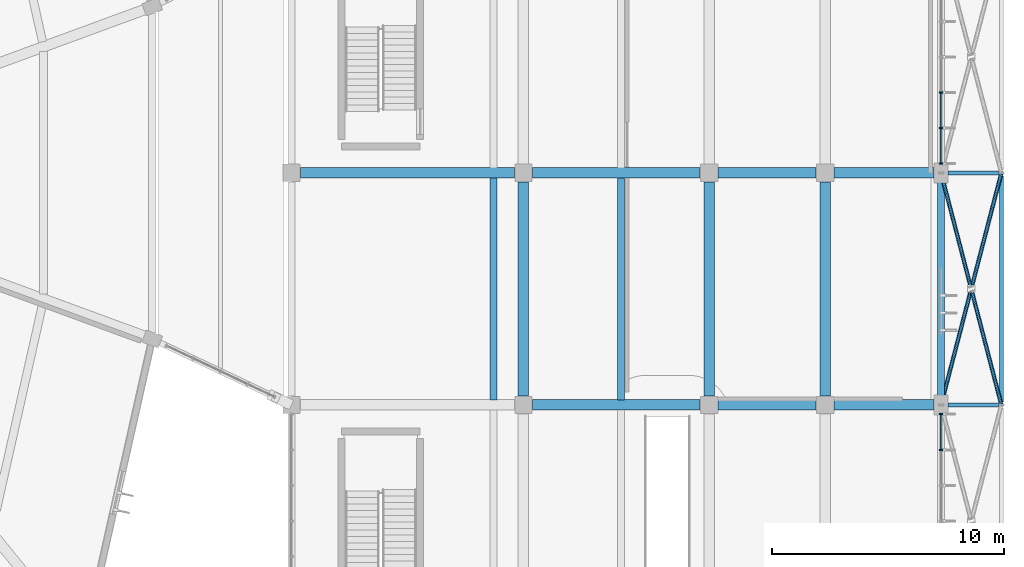
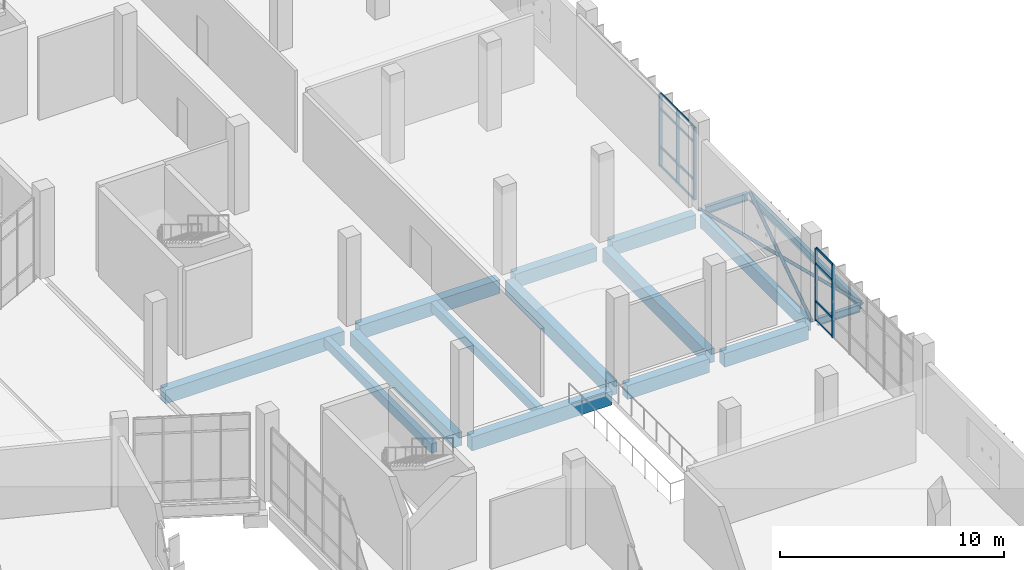
# One storey, part 59 of 179: 20 members, 16 beams, 2 elements without a shape of their own.
"""IFC4 building model written with IfcOpenShell, lengths in metres."""

from ifc_helpers import new_model, si_unit, direction, frame, origin, origin_2d, place, context, subcontext, project, spatial, rectangle, hollow_circle, i_section, extrude, material, layer, layer_set, material_profile, profile_set, type_object, element, aggregate, save


model = new_model("IFC4")

# Units and contexts
model_context = context("Model", 3, precision=1e-05, world=origin(), true_north=direction((0.0, 1.0)))
body_context = subcontext(model_context, "Body", "Model", "MODEL_VIEW")
ifc_project = project(units=[si_unit("LENGTHUNIT", "METRE"), si_unit("AREAUNIT", "SQUARE_METRE"), si_unit("VOLUMEUNIT", "CUBIC_METRE"), si_unit("PLANEANGLEUNIT", "RADIAN"), si_unit("MASSUNIT", "GRAM", prefix="KILO")], contexts=[model_context])

# Site, building, storey
site_placement = place(None, origin())
site = spatial("IfcSite", under=ifc_project, at=site_placement, CompositionType="ELEMENT")
building_placement = place(site_placement, origin())
building = spatial("IfcBuilding", under=site, at=building_placement, Name="Corvandel Quay Wholesale Market", CompositionType="ELEMENT")
storey_placement = place(building_placement, frame((0.0, 0.0, 6.0)))
storey = spatial("IfcBuildingStorey", under=building, at=storey_placement, Name="L01", CompositionType="ELEMENT", Elevation=6.0)

# Beams
ifc_material_1 = material(Name="Steel A992 Grade 50", Category="steel")
ifc_material_profile_1 = material_profile(ifc_material_1, i_section(OverallWidth=0.177978515625, OverallDepth=0.406005859375, WebThickness=0.0078125, FlangeThickness=0.0126953125, at=origin_2d()), Name="W16X40")
ifc_profile_set_1 = profile_set([ifc_material_profile_1], Name="Steel A992 Grade 50")
beam_type_1 = type_object("IfcBeamType", Name="Canopy Steel Edge Beam SB01 W16X40", PredefinedType="BEAM", material=ifc_profile_set_1)
for number, where, z_axis, x_axis, name in (
    (1, (248.294921875, 50.0, -0.403076171875), (1.0, 0.0, 0.0), (0.0, 1.0, 0.0), "Beam BM-1755"),
    (2, (248.294921875, 60.0, -0.403076171875), (1.0, 0.0, 0.0), (0.0, 1.0, 0.0), "Beam BM-1756"),
):
    element("IfcBeam", number, at=place(storey_placement, frame(where, z_axis=z_axis, x_axis=x_axis)), inside=storey, type_object=beam_type_1, Name=name, PredefinedType="BEAM", context=body_context, shape_type="SweptSolid", body=[
        extrude(i_section(OverallWidth=0.177978515625, OverallDepth=0.406005859375, WebThickness=0.0078125, FlangeThickness=0.0126953125, at=origin_2d()), origin(), (0.0, 0.0, 1.0), 2.1826171875),
    ])
beam_1_placement = place(storey_placement, frame((250.60009765625, 50.12255859375, -0.403076171875), z_axis=(0.0, 1.0, 0.0), x_axis=(-1.0, 0.0, 0.0)))
element("IfcBeam", 3, at=beam_1_placement, inside=storey, type_object=beam_type_1, Name="Beam BM-1759", PredefinedType="BEAM", context=body_context, shape_type="SweptSolid", body=[
    extrude(i_section(OverallWidth=0.177978515625, OverallDepth=0.406005859375, WebThickness=0.0078125, FlangeThickness=0.0126953125, at=origin_2d()), origin(), (0.0, 0.0, 1.0), 9.7548828125),
])

# Curtain wall, members
ifc_material_2 = material(Name="Bronze anodised aluminium and low-E insulated glazing", Category="aluminium")
ifc_layer_1 = layer(ifc_material_2, 0.162109375)
ifc_layer_set_1 = layer_set([ifc_layer_1], Name="Bronze anodised aluminium and low-E insulated glazing")
curtain_wall_type_1 = type_object("IfcCurtainWallType", Name="Stick Curtain Wall System CW16 H4440", PredefinedType="NOTDEFINED", material=ifc_layer_set_1)
curtain_wall_1_placement = place(storey_placement, origin())
curtain_wall_1 = element("IfcCurtainWall", 4, at=curtain_wall_1_placement, inside=storey, type_object=curtain_wall_type_1, Name="Curtain Wall CW-0151", PredefinedType="NOTDEFINED")
ifc_material_3 = material(Name="Anodised aluminium 6063-T6", Category="aluminium")
ifc_material_profile_2 = material_profile(ifc_material_3, rectangle(XDim=0.06494140625, YDim=0.14990234375, at=origin_2d()), Name="ALU-MUL-65x150")
ifc_profile_set_2 = profile_set([ifc_material_profile_2], Name="Anodised aluminium 6063-T6")
member_type_1 = type_object("IfcMemberType", Name="Curtain Wall Mullion ML02 65x150", PredefinedType="MULLION", material=ifc_profile_set_2)
member_1_placement = place(storey_placement, frame((248.0, 48.066650390625, 0.0), z_axis=(0.0, 0.0, 1.0), x_axis=(0.0, 1.0, 0.0)))
member_1 = element("IfcMember", 5, at=member_1_placement, type_object=member_type_1, Name="Mullion CW-0151-M05", PredefinedType="MULLION", context=body_context, shape_type="SweptSolid", body=[
    extrude(rectangle(XDim=0.06494140625, YDim=0.14990234375, at=origin_2d()), origin(), (0.0, 0.0, 1.0), 3.949951171875),
])
member_2_placement = place(storey_placement, frame((248.0, 49.60009765625, 0.0), z_axis=(0.0, 0.0, 1.0), x_axis=(0.0, 1.0, 0.0)))
member_2 = element("IfcMember", 6, at=member_2_placement, type_object=member_type_1, Name="Mullion CW-0151-M06", PredefinedType="MULLION", context=body_context, shape_type="SweptSolid", body=[
    extrude(rectangle(XDim=0.06494140625, YDim=0.14990234375, at=origin_2d()), origin(), (0.0, 0.0, 1.0), 3.949951171875),
])

ifc_layer_2 = layer(ifc_material_2, 0.18603515625)
ifc_layer_set_2 = layer_set([ifc_layer_2], Name="Bronze anodised aluminium and low-E insulated glazing")
curtain_wall_type_2 = type_object("IfcCurtainWallType", Name="Stick Curtain Wall System CW18 H4620", PredefinedType="NOTDEFINED", material=ifc_layer_set_2)
curtain_wall_2_placement = place(storey_placement, origin())
curtain_wall_2 = element("IfcCurtainWall", 7, at=curtain_wall_2_placement, inside=storey, type_object=curtain_wall_type_2, Name="Curtain Wall CW-0153", PredefinedType="NOTDEFINED")
member_3_placement = place(storey_placement, frame((248.0, 60.39990234375, 0.0), z_axis=(0.0, 0.0, 1.0), x_axis=(0.0, 1.0, 0.0)))
member_3 = element("IfcMember", 8, at=member_3_placement, type_object=member_type_1, Name="Mullion CW-0153-M00", PredefinedType="MULLION", context=body_context, shape_type="SweptSolid", body=[
    extrude(rectangle(XDim=0.06494140625, YDim=0.14990234375, at=origin_2d()), origin(), (0.0, 0.0, 1.0), 3.949951171875),
])
member_4_placement = place(storey_placement, frame((248.0, 61.933349609375, 0.0), z_axis=(0.0, 0.0, 1.0), x_axis=(0.0, 1.0, 0.0)))
member_4 = element("IfcMember", 9, at=member_4_placement, type_object=member_type_1, Name="Mullion CW-0153-M01", PredefinedType="MULLION", context=body_context, shape_type="SweptSolid", body=[
    extrude(rectangle(XDim=0.06494140625, YDim=0.14990234375, at=origin_2d()), origin(), (0.0, 0.0, 1.0), 3.949951171875),
])
member_5_placement = place(storey_placement, frame((248.0, 63.466796875, 0.0), z_axis=(0.0, 0.0, 1.0), x_axis=(0.0, 1.0, 0.0)))
member_5 = element("IfcMember", 10, at=member_5_placement, type_object=member_type_1, Name="Mullion CW-0153-M02", PredefinedType="MULLION", context=body_context, shape_type="SweptSolid", body=[
    extrude(rectangle(XDim=0.06494140625, YDim=0.14990234375, at=origin_2d()), origin(), (0.0, 0.0, 1.0), 3.949951171875),
])

# Member
ifc_material_profile_3 = material_profile(ifc_material_3, rectangle(XDim=0.06005859375, YDim=0.110107421875, at=origin_2d()), Name="ALU-TRN-60x110")
ifc_profile_set_3 = profile_set([ifc_material_profile_3], Name="Anodised aluminium 6063-T6")
member_type_2 = type_object("IfcMemberType", Name="Curtain Wall Transom TR02 60x110", PredefinedType="USERDEFINED", material=ifc_profile_set_3)
member_6_placement = place(storey_placement, frame((248.0, 48.09912109375, 0.0), z_axis=(0.0, 1.0, 0.0), x_axis=(-1.0, 0.0, 0.0)))
member_6 = element("IfcMember", 11, at=member_6_placement, type_object=member_type_2, Name="Transom CW-0151-T05-0", ObjectType="TRANSOM", PredefinedType="USERDEFINED", context=body_context, shape_type="SweptSolid", body=[
    extrude(rectangle(XDim=0.06005859375, YDim=0.110107421875, at=origin_2d()), origin(), (0.0, 0.0, 1.0), 1.46826171875),
])

member_7_placement = place(storey_placement, frame((248.0, 48.09912109375, 1.050048828125), z_axis=(0.0, 1.0, 0.0), x_axis=(-1.0, 0.0, 0.0)))
member_7 = element("IfcMember", 12, at=member_7_placement, type_object=member_type_2, Name="Transom CW-0151-T05-1", ObjectType="TRANSOM", PredefinedType="USERDEFINED", context=body_context, shape_type="SweptSolid", body=[
    extrude(rectangle(XDim=0.06005859375, YDim=0.110107421875, at=origin_2d()), origin(), (0.0, 0.0, 1.0), 1.46826171875),
])

member_8_placement = place(storey_placement, frame((248.0, 48.09912109375, 3.10009765625), z_axis=(0.0, 1.0, 0.0), x_axis=(-1.0, 0.0, 0.0)))
member_8 = element("IfcMember", 13, at=member_8_placement, type_object=member_type_2, Name="Transom CW-0151-T05-2", ObjectType="TRANSOM", PredefinedType="USERDEFINED", context=body_context, shape_type="SweptSolid", body=[
    extrude(rectangle(XDim=0.06005859375, YDim=0.110107421875, at=origin_2d()), origin(), (0.0, 0.0, 1.0), 1.46826171875),
])

member_9_placement = place(storey_placement, frame((248.0, 48.09912109375, 3.949951171875), z_axis=(0.0, 1.0, 0.0), x_axis=(-1.0, 0.0, 0.0)))
member_9 = element("IfcMember", 14, at=member_9_placement, type_object=member_type_2, Name="Transom CW-0151-T05-3", ObjectType="TRANSOM", PredefinedType="USERDEFINED", context=body_context, shape_type="SweptSolid", body=[
    extrude(rectangle(XDim=0.06005859375, YDim=0.110107421875, at=origin_2d()), origin(), (0.0, 0.0, 1.0), 1.46826171875),
])

aggregate(curtain_wall_1, [member_1, member_2, member_6, member_7, member_8, member_9])

member_10_placement = place(storey_placement, frame((248.0, 60.4326171875, 0.0), z_axis=(0.0, 1.0, 0.0), x_axis=(-1.0, 0.0, 0.0)))
member_10 = element("IfcMember", 15, at=member_10_placement, type_object=member_type_2, Name="Transom CW-0153-T00-0", ObjectType="TRANSOM", PredefinedType="USERDEFINED", context=body_context, shape_type="SweptSolid", body=[
    extrude(rectangle(XDim=0.06005859375, YDim=0.110107421875, at=origin_2d()), origin(), (0.0, 0.0, 1.0), 1.46826171875),
])

member_11_placement = place(storey_placement, frame((248.0, 60.4326171875, 1.050048828125), z_axis=(0.0, 1.0, 0.0), x_axis=(-1.0, 0.0, 0.0)))
member_11 = element("IfcMember", 16, at=member_11_placement, type_object=member_type_2, Name="Transom CW-0153-T00-1", ObjectType="TRANSOM", PredefinedType="USERDEFINED", context=body_context, shape_type="SweptSolid", body=[
    extrude(rectangle(XDim=0.06005859375, YDim=0.110107421875, at=origin_2d()), origin(), (0.0, 0.0, 1.0), 1.46826171875),
])

member_12_placement = place(storey_placement, frame((248.0, 60.4326171875, 3.10009765625), z_axis=(0.0, 1.0, 0.0), x_axis=(-1.0, 0.0, 0.0)))
member_12 = element("IfcMember", 17, at=member_12_placement, type_object=member_type_2, Name="Transom CW-0153-T00-2", ObjectType="TRANSOM", PredefinedType="USERDEFINED", context=body_context, shape_type="SweptSolid", body=[
    extrude(rectangle(XDim=0.06005859375, YDim=0.110107421875, at=origin_2d()), origin(), (0.0, 0.0, 1.0), 1.46826171875),
])

member_13_placement = place(storey_placement, frame((248.0, 60.4326171875, 3.949951171875), z_axis=(0.0, 1.0, 0.0), x_axis=(-1.0, 0.0, 0.0)))
member_13 = element("IfcMember", 18, at=member_13_placement, type_object=member_type_2, Name="Transom CW-0153-T00-3", ObjectType="TRANSOM", PredefinedType="USERDEFINED", context=body_context, shape_type="SweptSolid", body=[
    extrude(rectangle(XDim=0.06005859375, YDim=0.110107421875, at=origin_2d()), origin(), (0.0, 0.0, 1.0), 1.46826171875),
])

member_14_placement = place(storey_placement, frame((248.0, 61.9658203125, 0.0), z_axis=(0.0, 1.0, 0.0), x_axis=(-1.0, 0.0, 0.0)))
member_14 = element("IfcMember", 19, at=member_14_placement, type_object=member_type_2, Name="Transom CW-0153-T01-0", ObjectType="TRANSOM", PredefinedType="USERDEFINED", context=body_context, shape_type="SweptSolid", body=[
    extrude(rectangle(XDim=0.06005859375, YDim=0.110107421875, at=origin_2d()), origin(), (0.0, 0.0, 1.0), 1.46826171875),
])

member_15_placement = place(storey_placement, frame((248.0, 61.9658203125, 1.050048828125), z_axis=(0.0, 1.0, 0.0), x_axis=(-1.0, 0.0, 0.0)))
member_15 = element("IfcMember", 20, at=member_15_placement, type_object=member_type_2, Name="Transom CW-0153-T01-1", ObjectType="TRANSOM", PredefinedType="USERDEFINED", context=body_context, shape_type="SweptSolid", body=[
    extrude(rectangle(XDim=0.06005859375, YDim=0.110107421875, at=origin_2d()), origin(), (0.0, 0.0, 1.0), 1.46826171875),
])

member_16_placement = place(storey_placement, frame((248.0, 61.9658203125, 3.10009765625), z_axis=(0.0, 1.0, 0.0), x_axis=(-1.0, 0.0, 0.0)))
member_16 = element("IfcMember", 21, at=member_16_placement, type_object=member_type_2, Name="Transom CW-0153-T01-2", ObjectType="TRANSOM", PredefinedType="USERDEFINED", context=body_context, shape_type="SweptSolid", body=[
    extrude(rectangle(XDim=0.06005859375, YDim=0.110107421875, at=origin_2d()), origin(), (0.0, 0.0, 1.0), 1.46826171875),
])

member_17_placement = place(storey_placement, frame((248.0, 61.9658203125, 3.949951171875), z_axis=(0.0, 1.0, 0.0), x_axis=(-1.0, 0.0, 0.0)))
member_17 = element("IfcMember", 22, at=member_17_placement, type_object=member_type_2, Name="Transom CW-0153-T01-3", ObjectType="TRANSOM", PredefinedType="USERDEFINED", context=body_context, shape_type="SweptSolid", body=[
    extrude(rectangle(XDim=0.06005859375, YDim=0.110107421875, at=origin_2d()), origin(), (0.0, 0.0, 1.0), 1.46826171875),
])

aggregate(curtain_wall_2, [member_3, member_4, member_5, member_10, member_11, member_12, member_13, member_14, member_15, member_16, member_17])

# Beams
ifc_material_4 = material(Name="Precast concrete C45/55", Category="concrete")
ifc_material_profile_4 = material_profile(ifc_material_4, rectangle(XDim=0.300048828125, YDim=0.5, at=origin_2d()), Name="PC-BM-300x500")
ifc_profile_set_4 = profile_set([ifc_material_profile_4], Name="Precast concrete C45/55")
beam_type_2 = type_object("IfcBeamType", Name="Office Floor Secondary Beam B04 300x500", PredefinedType="BEAM", material=ifc_profile_set_4)
for number, where, z_axis, x_axis, name in (
    (23, (228.699951171875, 50.215087890625, -0.570068359375), (0.0, 1.0, 0.0), (-1.0, 0.0, 0.0), "Beam BM-1497"),
    (24, (234.199951171875, 50.215087890625, -0.570068359375), (0.0, 1.0, 0.0), (-1.0, 0.0, 0.0), "Beam BM-1498"),
):
    element("IfcBeam", number, at=place(storey_placement, frame(where, z_axis=z_axis, x_axis=x_axis)), inside=storey, type_object=beam_type_2, Name=name, PredefinedType="BEAM", context=body_context, shape_type="SweptSolid", body=[
        extrude(rectangle(XDim=0.300048828125, YDim=0.5, at=origin_2d()), origin(), (0.0, 0.0, 1.0), 9.56982421875),
    ])

# Members
ifc_material_5 = material(Name="Steel A500 Grade C", Category="steel")
ifc_material_profile_5 = material_profile(ifc_material_5, hollow_circle(Radius=0.083984375, WallThickness=0.00732421875, at=origin_2d()), Name="HSS6.625X0.312")
ifc_profile_set_5 = profile_set([ifc_material_profile_5], Name="Steel A500 Grade C")
member_type_3 = type_object("IfcMemberType", Name="Roof Diaphragm Wind Brace BR06 CHS168", PredefinedType="BRACE", material=ifc_profile_set_5)
member_18_placement = place(storey_placement, frame((248.0, 50.0, -0.25), z_axis=(0.251642704667, 0.967820204991, 0.0), x_axis=(-0.967820204991, 0.251642704667, 0.0)))
element("IfcMember", 25, at=member_18_placement, inside=storey, type_object=member_type_3, Name="Member MEM-0123", PredefinedType="BRACE", context=body_context, shape_type="SweptSolid", body=[
    extrude(hollow_circle(Radius=0.083984375, WallThickness=0.00732421875, at=origin_2d()), origin(), (0.0, 0.0, 1.0), 10.33251953125),
])
for number, where, z_axis, x_axis, name in (
    (26, (250.60009765625, 50.0, -0.25), (-0.251632048062, 0.967822975749, 0.0), (-0.967822975749, -0.251632048062, 0.0), "Member MEM-0124"),
    (27, (249.276123046875, 55.091796875, -0.25), (-0.251632048062, 0.967822975749, 0.0), (-0.967822975749, -0.251632048062, 0.0), "Member MEM-0124B"),
):
    element("IfcMember", number, at=place(storey_placement, frame(where, z_axis=z_axis, x_axis=x_axis)), inside=storey, type_object=member_type_3, Name=name, PredefinedType="BRACE", context=body_context, shape_type="SweptSolid", body=[
        extrude(hollow_circle(Radius=0.083984375, WallThickness=0.00732421875, at=origin_2d()), origin(), (0.0, 0.0, 1.0), 5.0712890625),
    ])

# Beams
ifc_material_profile_6 = material_profile(ifc_material_4, rectangle(XDim=0.300048828125, YDim=0.699951171875, at=origin_2d()), Name="PC-SPN-300x700")
ifc_profile_set_6 = profile_set([ifc_material_profile_6], Name="Precast concrete C45/55")
beam_type_3 = type_object("IfcBeamType", Name="Terrace Edge Spandrel SP03 300x700", PredefinedType="SPANDREL", material=ifc_profile_set_6)
beam_2_placement = place(storey_placement, frame((248.0, 50.294921875, -0.669921875), z_axis=(0.0, 1.0, 0.0), x_axis=(-1.0, 0.0, 0.0)))
element("IfcBeam", 28, at=beam_2_placement, inside=storey, type_object=beam_type_3, Name="Beam BM-1483", PredefinedType="SPANDREL", context=body_context, shape_type="SweptSolid", body=[
    extrude(rectangle(XDim=0.300048828125, YDim=0.699951171875, at=origin_2d()), origin(), (0.0, 0.0, 1.0), 9.41015625),
])
ifc_material_profile_7 = material_profile(ifc_material_4, rectangle(XDim=0.449951171875, YDim=0.75, at=origin_2d()), Name="PC-GIR-450x750")
ifc_profile_set_7 = profile_set([ifc_material_profile_7], Name="Precast concrete C45/55")
beam_type_4 = type_object("IfcBeamType", Name="Waterfront Office Girder G06 450x750", PredefinedType="USERDEFINED", material=ifc_profile_set_7)
beam_3_placement = place(storey_placement, frame((230.39501953125, 50.0, -0.695068359375), z_axis=(1.0, 0.0, 0.0), x_axis=(0.0, 1.0, 0.0)))
element("IfcBeam", 29, at=beam_3_placement, inside=storey, type_object=beam_type_4, Name="Beam BM-1412", ObjectType="GIRDER", PredefinedType="USERDEFINED", context=body_context, shape_type="SweptSolid", body=[
    extrude(rectangle(XDim=0.449951171875, YDim=0.75, at=origin_2d()), origin(), (0.0, 0.0, 1.0), 7.2099609375),
])
beam_4_placement = place(storey_placement, frame((238.39501953125, 50.0, -0.695068359375), z_axis=(1.0, 0.0, 0.0), x_axis=(0.0, 1.0, 0.0)))
element("IfcBeam", 30, at=beam_4_placement, inside=storey, type_object=beam_type_4, Name="Beam BM-1413", ObjectType="GIRDER", PredefinedType="USERDEFINED", context=body_context, shape_type="SweptSolid", body=[
    extrude(rectangle(XDim=0.449951171875, YDim=0.75, at=origin_2d()), origin(), (0.0, 0.0, 1.0), 4.2099609375),
])
beam_5_placement = place(storey_placement, frame((243.39501953125, 50.0, -0.695068359375), z_axis=(1.0, 0.0, 0.0), x_axis=(0.0, 1.0, 0.0)))
element("IfcBeam", 31, at=beam_5_placement, inside=storey, type_object=beam_type_4, Name="Beam BM-1414", ObjectType="GIRDER", PredefinedType="USERDEFINED", context=body_context, shape_type="SweptSolid", body=[
    extrude(rectangle(XDim=0.449951171875, YDim=0.75, at=origin_2d()), origin(), (0.0, 0.0, 1.0), 4.31005859375),
])
beam_6_placement = place(storey_placement, frame((220.39501953125, 60.0, -0.695068359375), z_axis=(1.0, 0.0, 0.0), x_axis=(0.0, 1.0, 0.0)))
element("IfcBeam", 32, at=beam_6_placement, inside=storey, type_object=beam_type_4, Name="Beam BM-1415", ObjectType="GIRDER", PredefinedType="USERDEFINED", context=body_context, shape_type="SweptSolid", body=[
    extrude(rectangle(XDim=0.449951171875, YDim=0.75, at=origin_2d()), origin(), (0.0, 0.0, 1.0), 9.2099609375),
])
beam_7_placement = place(storey_placement, frame((230.39501953125, 60.0, -0.695068359375), z_axis=(1.0, 0.0, 0.0), x_axis=(0.0, 1.0, 0.0)))
element("IfcBeam", 33, at=beam_7_placement, inside=storey, type_object=beam_type_4, Name="Beam BM-1416", ObjectType="GIRDER", PredefinedType="USERDEFINED", context=body_context, shape_type="SweptSolid", body=[
    extrude(rectangle(XDim=0.449951171875, YDim=0.75, at=origin_2d()), origin(), (0.0, 0.0, 1.0), 7.2099609375),
])
beam_8_placement = place(storey_placement, frame((238.39501953125, 60.0, -0.695068359375), z_axis=(1.0, 0.0, 0.0), x_axis=(0.0, 1.0, 0.0)))
element("IfcBeam", 34, at=beam_8_placement, inside=storey, type_object=beam_type_4, Name="Beam BM-1417", ObjectType="GIRDER", PredefinedType="USERDEFINED", context=body_context, shape_type="SweptSolid", body=[
    extrude(rectangle(XDim=0.449951171875, YDim=0.75, at=origin_2d()), origin(), (0.0, 0.0, 1.0), 4.2099609375),
])
beam_9_placement = place(storey_placement, frame((243.39501953125, 60.0, -0.695068359375), z_axis=(1.0, 0.0, 0.0), x_axis=(0.0, 1.0, 0.0)))
element("IfcBeam", 35, at=beam_9_placement, inside=storey, type_object=beam_type_4, Name="Beam BM-1418", ObjectType="GIRDER", PredefinedType="USERDEFINED", context=body_context, shape_type="SweptSolid", body=[
    extrude(rectangle(XDim=0.449951171875, YDim=0.75, at=origin_2d()), origin(), (0.0, 0.0, 1.0), 4.31005859375),
])
for number, where, z_axis, x_axis, name in (
    (36, (230.0, 50.39501953125, -0.695068359375), (0.0, 1.0, 0.0), (-1.0, 0.0, 0.0), "Beam BM-1453"),
    (37, (238.0, 50.39501953125, -0.695068359375), (0.0, 1.0, 0.0), (-1.0, 0.0, 0.0), "Beam BM-1463"),
    (38, (243.0, 50.39501953125, -0.695068359375), (0.0, 1.0, 0.0), (-1.0, 0.0, 0.0), "Beam BM-1473"),
):
    element("IfcBeam", number, at=place(storey_placement, frame(where, z_axis=z_axis, x_axis=x_axis)), inside=storey, type_object=beam_type_4, Name=name, ObjectType="GIRDER", PredefinedType="USERDEFINED", context=body_context, shape_type="SweptSolid", body=[
        extrude(rectangle(XDim=0.449951171875, YDim=0.75, at=origin_2d()), origin(), (0.0, 0.0, 1.0), 9.2099609375),
    ])

save(model, "model.ifc")
